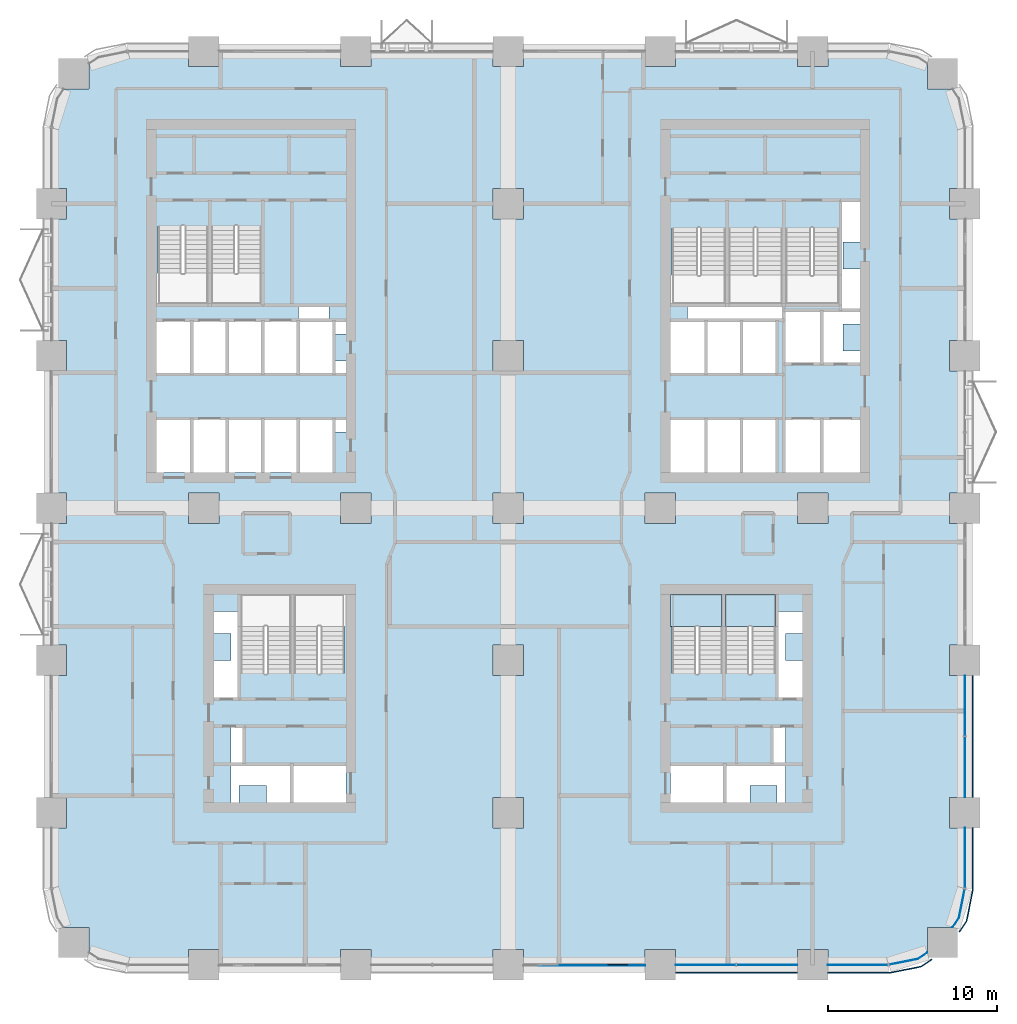
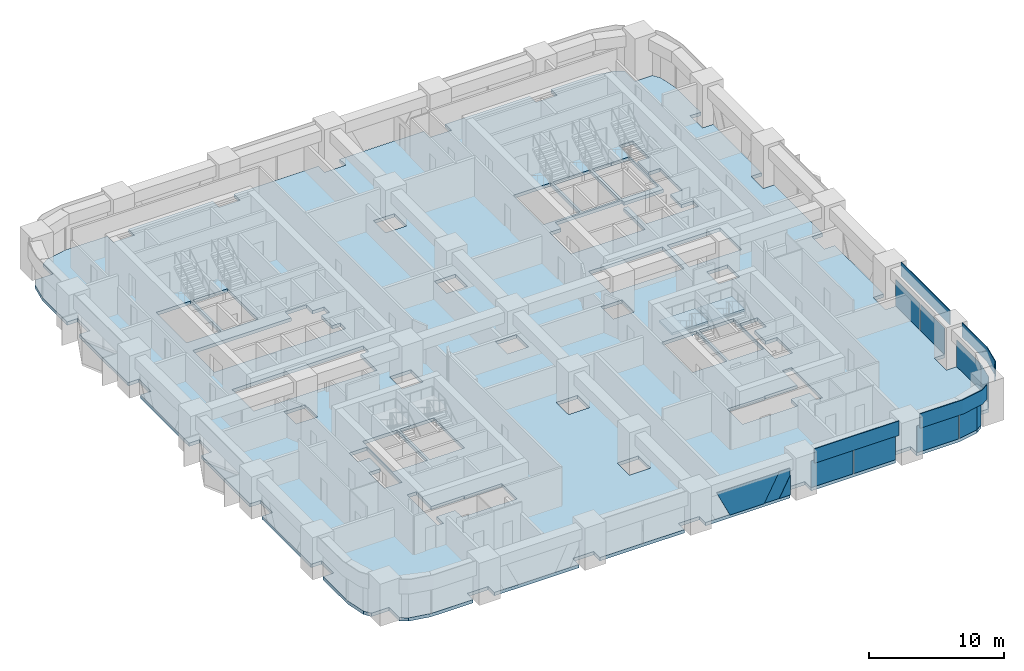
# One storey, part 9 of 21: 15 plates, 3 slabs, 7 elements without a shape of their own.
"""IFC4 building model written with IfcOpenShell, lengths in metres."""

from ifc_helpers import new_model, si_unit, direction, frame, origin, origin_2d, place, context, subcontext, project, spatial, polyline, rectangle, outline, extrude, material, layer, layer_set, type_object, element, aggregate, save


model = new_model("IFC4")

# Units and contexts
model_context = context("Model", 3, precision=1e-05, world=origin(), true_north=direction((0.0, 1.0)))
body_context = subcontext(model_context, "Body", "Model", "MODEL_VIEW")
ifc_project = project(units=[si_unit("LENGTHUNIT", "METRE"), si_unit("AREAUNIT", "SQUARE_METRE"), si_unit("VOLUMEUNIT", "CUBIC_METRE"), si_unit("PLANEANGLEUNIT", "RADIAN"), si_unit("MASSUNIT", "GRAM", prefix="KILO")], contexts=[model_context])

# Site, building, storey
site_placement = place(None, origin())
site = spatial("IfcSite", under=ifc_project, at=site_placement, CompositionType="ELEMENT")
building_placement = place(site_placement, origin())
building = spatial("IfcBuilding", under=site, at=building_placement, Name="Tessera Arch", CompositionType="ELEMENT")
storey_placement = place(building_placement, frame((0.0, 0.0, 42.39990234375)))
storey = spatial("IfcBuildingStorey", under=building, at=storey_placement, Name="L08", CompositionType="ELEMENT", Elevation=42.39990234375)

# Curtain wall, plates
ifc_material_1 = material(Name="CW1 curtain wall")
curtain_wall_type_1 = type_object("IfcCurtainWallType", Name="CW1 curtain wall", PredefinedType="NOTDEFINED", material=ifc_material_1)
curtain_wall_1_placement = place(storey_placement, origin())
curtain_wall_1 = element("IfcCurtainWall", 1, at=curtain_wall_1_placement, inside=storey, type_object=curtain_wall_type_1, Name="CW1 curtain wall S0.0/3 L08", PredefinedType="NOTDEFINED")
ifc_material_2 = material(Name="Clear low-e glass", Category="glass")
ifc_material_3 = material(Name="Clear low-e glass", Category="glass")
ifc_layer_1 = layer(ifc_material_3, 0.028076171875)
ifc_layer_set_1 = layer_set([ifc_layer_1], Name="CW1 glass panel")
plate_type_1 = type_object("IfcPlateType", Name="CW1 glass panel", PredefinedType="CURTAIN_PANEL", material=ifc_layer_set_1)
plate_1_placement = place(storey_placement, frame((38.68505859375, 0.0, 0.000244140625), z_axis=(0.0, 0.0, 1.0), x_axis=(1.0, 0.0, 0.0)))
plate_1 = element("IfcPlate", 2, at=plate_1_placement, type_object=plate_type_1, material=ifc_material_2, Name="CW1 glass panel S0.0/3 1.1.1", PredefinedType="CURTAIN_PANEL", context=body_context, shape_type="SweptSolid", body=[
    extrude(rectangle(XDim=3.570068359375, YDim=0.028076171875, at=origin_2d()), origin(), (0.0, 0.0, 1.0), 2.39990234375),
])
plate_2_placement = place(storey_placement, frame((42.31494140625, 0.0, 0.000244140625), z_axis=(0.0, 0.0, 1.0), x_axis=(1.0, 0.0, 0.0)))
plate_2 = element("IfcPlate", 3, at=plate_2_placement, type_object=plate_type_1, material=ifc_material_2, Name="CW1 glass panel S0.0/3 1.2.1", PredefinedType="CURTAIN_PANEL", context=body_context, shape_type="SweptSolid", body=[
    extrude(rectangle(XDim=3.570068359375, YDim=0.028076171875, at=origin_2d()), origin(), (0.0, 0.0, 1.0), 2.39990234375),
])

curtain_wall_2_placement = place(storey_placement, origin())
curtain_wall_2 = element("IfcCurtainWall", 4, at=curtain_wall_2_placement, inside=storey, type_object=curtain_wall_type_1, Name="CW1 curtain wall E54.0/1 L08", PredefinedType="NOTDEFINED")
plate_3_placement = place(storey_placement, frame((54.0, 11.68505859375, 0.000244140625), z_axis=(0.0, 0.0, 1.0), x_axis=(0.0, 1.0, 0.0)))
plate_3 = element("IfcPlate", 5, at=plate_3_placement, type_object=plate_type_1, material=ifc_material_2, Name="CW1 glass panel E54.0/1 1.1.1", PredefinedType="CURTAIN_PANEL", context=body_context, shape_type="SweptSolid", body=[
    extrude(rectangle(XDim=3.570068359375, YDim=0.028076171875, at=origin_2d()), origin(), (0.0, 0.0, 1.0), 2.39990234375),
])
plate_4_placement = place(storey_placement, frame((54.0, 15.31494140625, 0.000244140625), z_axis=(0.0, 0.0, 1.0), x_axis=(0.0, 1.0, 0.0)))
plate_4 = element("IfcPlate", 6, at=plate_4_placement, type_object=plate_type_1, material=ifc_material_2, Name="CW1 glass panel E54.0/1 1.2.1", PredefinedType="CURTAIN_PANEL", context=body_context, shape_type="SweptSolid", body=[
    extrude(rectangle(XDim=3.570068359375, YDim=0.028076171875, at=origin_2d()), origin(), (0.0, 0.0, 1.0), 2.39990234375),
])

# Plate
ifc_material_4 = material(Name="Pale anodised aluminium panel", Category="aluminium")
ifc_layer_2 = layer(ifc_material_4, 0.06005859375)
ifc_layer_set_2 = layer_set([ifc_layer_2], Name="CW1 spandrel panel")
plate_type_2 = type_object("IfcPlateType", Name="CW1 spandrel panel", PredefinedType="CURTAIN_PANEL", material=ifc_layer_set_2)
plate_5_placement = place(storey_placement, frame((40.5, -0.47998046875, 2.5), z_axis=(0.0, 0.0, 1.0), x_axis=(1.0, 0.0, 0.0)))
plate_5 = element("IfcPlate", 7, at=plate_5_placement, type_object=plate_type_2, Name="CW1 spandrel panel S0.0/3", PredefinedType="CURTAIN_PANEL", context=body_context, shape_type="SweptSolid", body=[
    extrude(rectangle(XDim=7.199951171875, YDim=0.06005859375, at=origin_2d()), origin(), (0.0, 0.0, 1.0), 1.300048828125),
])

aggregate(curtain_wall_1, [plate_1, plate_2, plate_5])

plate_6_placement = place(storey_placement, frame((54.47998046875, 13.5, 2.5), z_axis=(0.0, 0.0, 1.0), x_axis=(0.0, 1.0, 0.0)))
plate_6 = element("IfcPlate", 8, at=plate_6_placement, type_object=plate_type_2, Name="CW1 spandrel panel E54.0/1", PredefinedType="CURTAIN_PANEL", context=body_context, shape_type="SweptSolid", body=[
    extrude(rectangle(XDim=7.199951171875, YDim=0.06005859375, at=origin_2d()), origin(), (0.0, 0.0, 1.0), 1.300048828125),
])

aggregate(curtain_wall_2, [plate_3, plate_4, plate_6])

# Curtain wall, plates
ifc_material_5 = material(Name="CW2 curtain wall")
curtain_wall_type_2 = type_object("IfcCurtainWallType", Name="CW2 curtain wall", PredefinedType="NOTDEFINED", material=ifc_material_5)
curtain_wall_3_placement = place(storey_placement, origin())
curtain_wall_3 = element("IfcCurtainWall", 9, at=curtain_wall_3_placement, inside=storey, type_object=curtain_wall_type_2, Name="CW2 curtain wall S0.0/4 L08", PredefinedType="NOTDEFINED")
ifc_material_6 = material(Name="Clear low-e glass", Category="glass")
ifc_layer_3 = layer(ifc_material_6, 0.028076171875)
ifc_layer_set_3 = layer_set([ifc_layer_3], Name="CW2 glass panel")
plate_type_3 = type_object("IfcPlateType", Name="CW2 glass panel", PredefinedType="CURTAIN_PANEL", material=ifc_layer_set_3)
plate_7_placement = place(storey_placement, frame((47.679931640625, 0.0, 0.000244140625), z_axis=(0.0, 0.0, 1.0), x_axis=(1.0, 0.0, 0.0)))
plate_7 = element("IfcPlate", 10, at=plate_7_placement, type_object=plate_type_3, material=ifc_material_2, Name="CW2 glass panel S0.0/4 1.1", PredefinedType="CURTAIN_PANEL", context=body_context, shape_type="SweptSolid", body=[
    extrude(rectangle(XDim=3.56005859375, YDim=0.028076171875, at=origin_2d()), origin(), (0.0, 0.0, 1.0), 2.39990234375),
])
plate_8_placement = place(storey_placement, origin())
plate_8 = element("IfcPlate", 11, at=plate_8_placement, type_object=plate_type_3, material=ifc_material_2, Name="CW2 curved glass panel S0.0/4 2.1", PredefinedType="CURTAIN_PANEL", context=body_context, shape_type="SweptSolid", body=[
    extrude(outline(polyline([(51.216552734375, 0.355712890625), (49.53662109375, 0.021484375), (49.5419921875, -0.005859375), (51.2275390625, 0.329345703125), (51.789794921875, 0.705078125), (51.774169921875, 0.728271484375), (51.216552734375, 0.355712890625)])), origin(), (0.0, 0.0, 1.0), 2.400146484375),
])

curtain_wall_4_placement = place(storey_placement, origin())
curtain_wall_4 = element("IfcCurtainWall", 12, at=curtain_wall_4_placement, inside=storey, type_object=curtain_wall_type_2, Name="CW2 curtain wall E54.0/0 L08", PredefinedType="NOTDEFINED")
plate_9_placement = place(storey_placement, frame((54.0, 6.320068359375, 0.000244140625), z_axis=(0.0, 0.0, 1.0), x_axis=(0.0, 1.0, 0.0)))
plate_9 = element("IfcPlate", 13, at=plate_9_placement, type_object=plate_type_3, material=ifc_material_2, Name="CW2 glass panel E54.0/0 1.1", PredefinedType="CURTAIN_PANEL", context=body_context, shape_type="SweptSolid", body=[
    extrude(rectangle(XDim=3.56005859375, YDim=0.028076171875, at=origin_2d()), origin(), (0.0, 0.0, 1.0), 2.39990234375),
])
plate_10_placement = place(storey_placement, origin())
plate_10 = element("IfcPlate", 14, at=plate_10_placement, type_object=plate_type_3, material=ifc_material_2, Name="CW2 curved glass panel E54.0/0 2.1", PredefinedType="CURTAIN_PANEL", context=body_context, shape_type="SweptSolid", body=[
    extrude(outline(polyline([(53.644287109375, 2.783447265625), (53.271728515625, 2.225830078125), (53.294921875, 2.210205078125), (53.670654296875, 2.7724609375), (54.005859375, 4.4580078125), (53.978515625, 4.46337890625), (53.644287109375, 2.783447265625)])), origin(), (0.0, 0.0, 1.0), 2.400146484375),
])

# Plate
ifc_material_7 = material(Name="Pale anodised aluminium panel", Category="aluminium")
ifc_layer_4 = layer(ifc_material_7, 0.06005859375)
ifc_layer_set_4 = layer_set([ifc_layer_4], Name="CW2 spandrel panel")
plate_type_4 = type_object("IfcPlateType", Name="CW2 spandrel panel", PredefinedType="CURTAIN_PANEL", material=ifc_layer_set_4)
plate_11_placement = place(storey_placement, frame((0.0, 0.0, 2.5)))
plate_11 = element("IfcPlate", 15, at=plate_11_placement, type_object=plate_type_4, Name="CW2 spandrel panel S0.0/4", PredefinedType="CURTAIN_PANEL", context=body_context, shape_type="SweptSolid", body=[
    extrude(outline(polyline([(49.499267578125, -0.449951171875), (45.89990234375, -0.449951171875), (45.89990234375, -0.510009765625), (49.500732421875, -0.510009765625), (49.550048828125, -0.507568359375), (49.598876953125, -0.500244140625), (51.322265625, -0.157470703125), (51.3701171875, -0.1455078125), (51.417236328125, -0.128662109375), (51.462646484375, -0.107177734375), (51.5048828125, -0.08203125), (52.0654296875, 0.292724609375), (52.031982421875, 0.342529296875), (51.47265625, -0.03125), (51.434326171875, -0.05419921875), (51.394287109375, -0.0732421875), (51.352783203125, -0.088134765625), (51.30908203125, -0.09912109375), (49.588623046875, -0.441162109375), (49.544189453125, -0.44775390625), (49.499267578125, -0.449951171875)])), origin(), (0.0, 0.0, 1.0), 1.300048828125),
])

aggregate(curtain_wall_3, [plate_7, plate_8, plate_11])

plate_12_placement = place(storey_placement, frame((0.0, 0.0, 2.5)))
plate_12 = element("IfcPlate", 16, at=plate_12_placement, type_object=plate_type_4, Name="CW2 spandrel panel E54.0/0", PredefinedType="CURTAIN_PANEL", context=body_context, shape_type="SweptSolid", body=[
    extrude(outline(polyline([(54.03125, 2.52734375), (53.657470703125, 1.968017578125), (53.707275390625, 1.9345703125), (54.08203125, 2.4951171875), (54.107177734375, 2.537353515625), (54.128662109375, 2.582763671875), (54.1455078125, 2.6298828125), (54.157470703125, 2.677734375), (54.500244140625, 4.401123046875), (54.507568359375, 4.449951171875), (54.510009765625, 4.499267578125), (54.510009765625, 8.10009765625), (54.449951171875, 8.10009765625), (54.449951171875, 4.500732421875), (54.44775390625, 4.455810546875), (54.441162109375, 4.411376953125), (54.09912109375, 2.69091796875), (54.088134765625, 2.647216796875), (54.0732421875, 2.605712890625), (54.05419921875, 2.565673828125), (54.03125, 2.52734375)])), origin(), (0.0, 0.0, 1.0), 1.300048828125),
])

aggregate(curtain_wall_4, [plate_9, plate_10, plate_12])

# Curtain wall, plates
ifc_material_8 = material(Name="CW3 curtain wall")
curtain_wall_type_3 = type_object("IfcCurtainWallType", Name="CW3 curtain wall", PredefinedType="NOTDEFINED", material=ifc_material_8)
curtain_wall_5_placement = place(storey_placement, origin())
curtain_wall_5 = element("IfcCurtainWall", 17, at=curtain_wall_5_placement, inside=storey, type_object=curtain_wall_type_3, Name="CW3 curtain wall S0.0/2 L08", PredefinedType="NOTDEFINED")
ifc_material_9 = material(Name="Pale anodised aluminium panel", Category="aluminium")
ifc_layer_5 = layer(ifc_material_9, 0.06005859375)
ifc_layer_set_5 = layer_set([ifc_layer_5], Name="CW3 diagonal panel")
plate_type_5 = type_object("IfcPlateType", Name="CW3 diagonal panel", PredefinedType="CURTAIN_PANEL", material=ifc_layer_set_5)
plate_13_placement = place(storey_placement, frame((35.10009765625, -0.030029296875, 2.400146484375), z_axis=(0.0, -1.0, 0.0), x_axis=(-1.0, 0.0, 0.0)))
plate_13 = element("IfcPlate", 18, at=plate_13_placement, type_object=plate_type_5, Name="CW3 diagonal panel S0.0/2 1", PredefinedType="CURTAIN_PANEL", context=body_context, shape_type="SweptSolid", body=[
    extrude(outline(polyline([(0.0, 0.0), (0.95947265625, 0.0), (2.227294921875, 2.400146484375), (0.9423828125, 2.400146484375), (0.0, 0.6162109375), (0.0, 0.0)])), origin(), (0.0, 0.0, -1.0), 0.06005859375),
])
ifc_material_10 = material(Name="Clear low-e glass", Category="glass")
ifc_layer_6 = layer(ifc_material_10, 0.028076171875)
ifc_layer_set_6 = layer_set([ifc_layer_6], Name="CW3 glass panel")
plate_type_6 = type_object("IfcPlateType", Name="CW3 glass panel", PredefinedType="CURTAIN_PANEL", material=ifc_layer_set_6)
plate_14_placement = place(storey_placement, frame((34.140625, -0.05810546875, 2.400146484375), z_axis=(0.0, -1.0, 0.0), x_axis=(-1.0, 0.0, 0.0)))
plate_14 = element("IfcPlate", 19, at=plate_14_placement, type_object=plate_type_6, material=ifc_material_2, Name="CW3 triangulated glass panel S0.0/2 2", PredefinedType="CURTAIN_PANEL", context=body_context, shape_type="SweptSolid", body=[
    extrude(outline(polyline([(0.0, 0.0), (5.327880859375, 0.0), (4.191162109375, 2.400146484375), (1.267822265625, 2.400146484375), (0.0, 0.0)])), origin(), (0.0, 0.0, -1.0), 0.028076171875),
])
plate_15_placement = place(storey_placement, frame((35.10009765625, -0.05810546875, 0.0), z_axis=(0.0, -1.0, 0.0), x_axis=(0.0, 0.0, 1.0)))
plate_15 = element("IfcPlate", 20, at=plate_15_placement, type_object=plate_type_6, material=ifc_material_2, Name="CW3 triangulated glass panel S0.0/2 3", PredefinedType="CURTAIN_PANEL", context=body_context, shape_type="SweptSolid", body=[
    extrude(outline(polyline([(0.0, 0.0), (1.783935546875, 0.0), (0.0, 0.9423828125), (0.0, 0.0)])), origin(), (0.0, 0.0, -1.0), 0.028076171875),
])
aggregate(curtain_wall_5, [plate_14, plate_15, plate_13])

# Slab
ifc_material_11 = material(Name="Concrete C40/50", Category="concrete")
ifc_layer_7 = layer(ifc_material_11, 0.300048828125)
ifc_layer_set_7 = layer_set([ifc_layer_7], Name="Floor slab 300 Concrete C40/50")
slab_type_1 = type_object("IfcSlabType", Name="Floor slab 300 Concrete C40/50", PredefinedType="FLOOR", material=ifc_layer_set_7)
slab_1_placement = place(storey_placement, frame((0.0, 0.0, -0.2998046875)))
element("IfcSlab", 21, at=slab_1_placement, inside=storey, type_object=slab_type_1, Name="Floor slab L08 1", PredefinedType="FLOOR", context=body_context, shape_type="SweptSolid", body=[
    extrude(outline(polyline([(4.5, 0.0), (2.77783203125, 0.342529296875), (2.218017578125, 0.716552734375), (2.218017578125, 2.218017578125), (0.716552734375, 2.218017578125), (0.342529296875, 2.77783203125), (0.0, 4.5), (0.0, 8.10009765625), (0.89990234375, 8.10009765625), (0.89990234375, 9.89990234375), (0.0, 9.89990234375), (0.0, 17.10009765625), (0.89990234375, 17.10009765625), (0.89990234375, 18.89990234375), (0.0, 18.89990234375), (0.0, 26.10009765625), (0.89990234375, 26.10009765625), (0.89990234375, 27.89990234375), (0.0, 27.89990234375), (0.0, 35.10009765625), (0.89990234375, 35.10009765625), (0.89990234375, 36.89990234375), (0.0, 36.89990234375), (0.0, 44.10009765625), (0.89990234375, 44.10009765625), (0.89990234375, 45.89990234375), (0.0, 45.89990234375), (0.0, 49.5), (0.342529296875, 51.22216796875), (0.716552734375, 51.781982421875), (2.218017578125, 51.781982421875), (2.218017578125, 53.283447265625), (2.77783203125, 53.657470703125), (4.5, 54.0), (8.10009765625, 54.0), (8.10009765625, 53.10009765625), (9.89990234375, 53.10009765625), (9.89990234375, 54.0), (17.10009765625, 54.0), (17.10009765625, 53.10009765625), (18.89990234375, 53.10009765625), (18.89990234375, 54.0), (26.10009765625, 54.0), (26.10009765625, 53.10009765625), (27.89990234375, 53.10009765625), (27.89990234375, 54.0), (35.10009765625, 54.0), (35.10009765625, 53.10009765625), (36.89990234375, 53.10009765625), (36.89990234375, 54.0), (44.10009765625, 54.0), (44.10009765625, 53.10009765625), (45.89990234375, 53.10009765625), (45.89990234375, 54.0), (49.5, 54.0), (51.22216796875, 53.657470703125), (51.781982421875, 53.283447265625), (51.781982421875, 51.781982421875), (53.283447265625, 51.781982421875), (53.657470703125, 51.22216796875), (54.0, 49.5), (54.0, 45.89990234375), (53.10009765625, 45.89990234375), (53.10009765625, 44.10009765625), (54.0, 44.10009765625), (54.0, 36.89990234375), (53.10009765625, 36.89990234375), (53.10009765625, 35.10009765625), (54.0, 35.10009765625), (54.0, 27.89990234375), (53.10009765625, 27.89990234375), (53.10009765625, 26.10009765625), (54.0, 26.10009765625), (54.0, 18.89990234375), (53.10009765625, 18.89990234375), (53.10009765625, 17.10009765625), (54.0, 17.10009765625), (54.0, 9.89990234375), (53.10009765625, 9.89990234375), (53.10009765625, 8.10009765625), (54.0, 8.10009765625), (54.0, 4.5), (53.657470703125, 2.77783203125), (53.283447265625, 2.218017578125), (51.781982421875, 2.218017578125), (51.781982421875, 0.716552734375), (51.22216796875, 0.342529296875), (49.5, 0.0), (45.89990234375, 0.0), (45.89990234375, 0.89990234375), (44.10009765625, 0.89990234375), (44.10009765625, 0.0), (36.89990234375, 0.0), (36.89990234375, 0.89990234375), (35.10009765625, 0.89990234375), (35.10009765625, 0.0), (27.89990234375, 0.0), (27.89990234375, 0.89990234375), (26.10009765625, 0.89990234375), (26.10009765625, 0.0), (18.89990234375, 0.0), (18.89990234375, 0.89990234375), (17.10009765625, 0.89990234375), (17.10009765625, 0.0), (9.89990234375, 0.0), (9.89990234375, 0.89990234375), (8.10009765625, 0.89990234375), (8.10009765625, 0.0), (4.5, 0.0)]), holes=[polyline([(11.10009765625, 9.60009765625), (11.10009765625, 10.60009765625), (12.699951171875, 10.60009765625), (12.699951171875, 9.60009765625), (14.199951171875, 9.60009765625), (17.39990234375, 9.60009765625), (17.39990234375, 11.85009765625), (14.199951171875, 11.85009765625), (14.199951171875, 11.89990234375), (11.39990234375, 11.89990234375), (11.39990234375, 14.10009765625), (10.60009765625, 14.10009765625), (10.60009765625, 11.89990234375), (10.60009765625, 9.60009765625), (11.10009765625, 9.60009765625)]), polyline([(9.60009765625, 19.60009765625), (10.60009765625, 19.60009765625), (10.60009765625, 18.0), (9.60009765625, 18.0), (9.60009765625, 15.699951171875), (11.10009765625, 15.699951171875), (11.10009765625, 20.89990234375), (9.60009765625, 20.89990234375), (9.60009765625, 19.60009765625)]), polyline([(12.60009765625, 17.2099609375), (12.60009765625, 17.199951171875), (12.75, 17.199951171875), (12.75, 17.2099609375), (14.14990234375, 17.2099609375), (14.14990234375, 21.699951171875), (11.199951171875, 21.699951171875), (11.199951171875, 17.2099609375), (12.60009765625, 17.2099609375)]), polyline([(8.10009765625, 26.10009765625), (9.89990234375, 26.10009765625), (9.89990234375, 27.89990234375), (8.10009765625, 27.89990234375), (8.10009765625, 26.10009765625)]), polyline([(12.5, 29.10009765625), (14.60009765625, 29.10009765625), (16.699951171875, 29.10009765625), (16.699951171875, 31.5), (17.39990234375, 31.5), (17.39990234375, 32.300048828125), (16.699951171875, 32.300048828125), (14.60009765625, 32.300048828125), (12.5, 32.300048828125), (10.39990234375, 32.300048828125), (8.300048828125, 32.300048828125), (6.199951171875, 32.300048828125), (6.199951171875, 29.10009765625), (8.300048828125, 29.10009765625), (10.39990234375, 29.10009765625), (12.5, 29.10009765625)]), polyline([(10.39990234375, 38.10009765625), (8.300048828125, 38.10009765625), (6.199951171875, 38.10009765625), (6.199951171875, 34.89990234375), (8.300048828125, 34.89990234375), (10.39990234375, 34.89990234375), (12.5, 34.89990234375), (14.60009765625, 34.89990234375), (16.699951171875, 34.89990234375), (17.39990234375, 34.89990234375), (17.39990234375, 35.699951171875), (16.699951171875, 35.699951171875), (16.699951171875, 37.300048828125), (17.39990234375, 37.300048828125), (17.39990234375, 38.10009765625), (16.699951171875, 38.10009765625), (16.39990234375, 38.10009765625), (16.39990234375, 39.0), (14.60009765625, 39.0), (14.60009765625, 38.10009765625), (12.5, 38.10009765625), (10.39990234375, 38.10009765625)]), polyline([(11.0, 43.699951171875), (10.85009765625, 43.699951171875), (10.85009765625, 43.68994140625), (9.449951171875, 43.68994140625), (9.449951171875, 39.199951171875), (12.39990234375, 39.199951171875), (12.39990234375, 43.68994140625), (11.0, 43.68994140625), (11.0, 43.699951171875)]), polyline([(7.85009765625, 43.699951171875), (7.699951171875, 43.699951171875), (7.699951171875, 43.68994140625), (6.300048828125, 43.68994140625), (6.300048828125, 39.199951171875), (9.25, 39.199951171875), (9.25, 43.68994140625), (7.85009765625, 43.68994140625), (7.85009765625, 43.699951171875)]), polyline([(26.10009765625, 8.10009765625), (27.89990234375, 8.10009765625), (27.89990234375, 9.89990234375), (26.10009765625, 9.89990234375), (26.10009765625, 8.10009765625)]), polyline([(39.800048828125, 9.60009765625), (41.300048828125, 9.60009765625), (41.300048828125, 10.60009765625), (42.89990234375, 10.60009765625), (42.89990234375, 9.60009765625), (43.39990234375, 9.60009765625), (43.39990234375, 11.89990234375), (43.39990234375, 14.10009765625), (42.60009765625, 14.10009765625), (42.60009765625, 11.89990234375), (39.800048828125, 11.89990234375), (39.800048828125, 11.85009765625), (36.60009765625, 11.85009765625), (36.60009765625, 9.60009765625), (39.800048828125, 9.60009765625)]), polyline([(26.10009765625, 18.89990234375), (26.10009765625, 17.10009765625), (27.89990234375, 17.10009765625), (27.89990234375, 18.89990234375), (26.10009765625, 18.89990234375)]), polyline([(15.75, 17.199951171875), (15.89990234375, 17.199951171875), (15.89990234375, 17.2099609375), (17.300048828125, 17.2099609375), (17.300048828125, 21.699951171875), (14.35009765625, 21.699951171875), (14.35009765625, 17.2099609375), (15.75, 17.2099609375), (15.75, 17.199951171875)]), polyline([(38.10009765625, 17.199951171875), (38.25, 17.199951171875), (38.25, 17.2099609375), (39.64990234375, 17.2099609375), (39.64990234375, 21.699951171875), (36.699951171875, 21.699951171875), (36.699951171875, 17.2099609375), (38.10009765625, 17.2099609375), (38.10009765625, 17.199951171875)]), polyline([(17.10009765625, 26.10009765625), (18.89990234375, 26.10009765625), (18.89990234375, 27.89990234375), (17.10009765625, 27.89990234375), (17.10009765625, 26.10009765625)]), polyline([(26.10009765625, 27.89990234375), (26.10009765625, 26.10009765625), (27.89990234375, 26.10009765625), (27.89990234375, 27.89990234375), (26.10009765625, 27.89990234375)]), polyline([(35.10009765625, 27.89990234375), (35.10009765625, 26.10009765625), (36.89990234375, 26.10009765625), (36.89990234375, 27.89990234375), (35.10009765625, 27.89990234375)]), polyline([(36.60009765625, 32.300048828125), (36.60009765625, 29.10009765625), (38.699951171875, 29.10009765625), (40.800048828125, 29.10009765625), (42.89990234375, 29.10009765625), (42.89990234375, 32.300048828125), (40.800048828125, 32.300048828125), (38.699951171875, 32.300048828125), (36.60009765625, 32.300048828125)]), polyline([(26.10009765625, 35.10009765625), (27.89990234375, 35.10009765625), (27.89990234375, 36.89990234375), (26.10009765625, 36.89990234375), (26.10009765625, 35.10009765625)]), polyline([(38.699951171875, 34.89990234375), (40.800048828125, 34.89990234375), (42.89990234375, 34.89990234375), (42.89990234375, 38.10009765625), (43.300048828125, 38.10009765625), (43.300048828125, 35.5), (45.550048828125, 35.5), (47.800048828125, 35.5), (47.800048828125, 36.300048828125), (46.800048828125, 36.300048828125), (46.800048828125, 37.89990234375), (47.800048828125, 37.89990234375), (47.800048828125, 38.699951171875), (47.800048828125, 41.14990234375), (46.800048828125, 41.14990234375), (46.800048828125, 42.75), (47.800048828125, 42.75), (47.800048828125, 45.199951171875), (46.64990234375, 45.199951171875), (46.64990234375, 38.699951171875), (45.550048828125, 38.699951171875), (43.300048828125, 38.699951171875), (43.300048828125, 39.0), (37.60009765625, 39.0), (37.60009765625, 38.10009765625), (36.60009765625, 38.10009765625), (36.60009765625, 34.89990234375), (38.699951171875, 34.89990234375)]), polyline([(38.330078125, 43.580078125), (38.219970703125, 43.580078125), (38.219970703125, 43.570068359375), (36.699951171875, 43.570068359375), (36.699951171875, 39.199951171875), (39.85009765625, 39.199951171875), (39.85009765625, 43.570068359375), (38.330078125, 43.570068359375), (38.330078125, 43.580078125)]), polyline([(26.10009765625, 44.10009765625), (27.89990234375, 44.10009765625), (27.89990234375, 45.89990234375), (26.10009765625, 45.89990234375), (26.10009765625, 44.10009765625)]), polyline([(42.89990234375, 15.699951171875), (44.39990234375, 15.699951171875), (44.39990234375, 18.0), (43.39990234375, 18.0), (43.39990234375, 19.60009765625), (44.39990234375, 19.60009765625), (44.39990234375, 20.89990234375), (42.89990234375, 20.89990234375), (42.89990234375, 15.699951171875)]), polyline([(41.25, 17.199951171875), (41.39990234375, 17.199951171875), (41.39990234375, 17.2099609375), (42.800048828125, 17.2099609375), (42.800048828125, 21.699951171875), (39.85009765625, 21.699951171875), (39.85009765625, 17.2099609375), (41.25, 17.2099609375), (41.25, 17.199951171875)]), polyline([(44.10009765625, 26.10009765625), (45.89990234375, 26.10009765625), (45.89990234375, 27.89990234375), (44.10009765625, 27.89990234375), (44.10009765625, 26.10009765625)]), polyline([(45.550048828125, 29.10009765625), (47.800048828125, 29.10009765625), (47.800048828125, 32.300048828125), (45.550048828125, 32.300048828125), (43.300048828125, 32.300048828125), (43.300048828125, 29.10009765625), (45.550048828125, 29.10009765625)]), polyline([(45.030029296875, 43.570068359375), (45.030029296875, 43.580078125), (44.919921875, 43.580078125), (44.919921875, 43.570068359375), (43.39990234375, 43.570068359375), (43.39990234375, 39.199951171875), (46.550048828125, 39.199951171875), (46.550048828125, 43.570068359375), (45.030029296875, 43.570068359375)]), polyline([(41.679931640625, 43.580078125), (41.570068359375, 43.580078125), (41.570068359375, 43.570068359375), (40.050048828125, 43.570068359375), (40.050048828125, 39.199951171875), (43.199951171875, 39.199951171875), (43.199951171875, 43.570068359375), (41.679931640625, 43.570068359375), (41.679931640625, 43.580078125)])]), origin(), (0.0, 0.0, 1.0), 0.2998046875),
])

# Stair, slab
ifc_material_12 = material(Name="Concrete C40/50", Category="concrete")
stair_type = type_object("IfcStairType", Name="Dogleg stair 1400", PredefinedType="HALF_TURN_STAIR", material=ifc_material_12)
stair_1_placement = place(storey_placement, origin())
stair_1 = element("IfcStair", 22, at=stair_1_placement, inside=storey, type_object=stair_type, Name="L08 S3a", PredefinedType="HALF_TURN_STAIR")
ifc_material_13 = material(Name="Concrete C40/50", Category="concrete")
ifc_layer_8 = layer(ifc_material_13, 0.300048828125)
ifc_layer_set_8 = layer_set([ifc_layer_8], Name="Stair landing 300")
slab_type_2 = type_object("IfcSlabType", Name="Stair landing 300", PredefinedType="LANDING", material=ifc_layer_set_8)
slab_2_placement = place(storey_placement, frame((0.0, 0.0, 1.7001953125)))
slab_2 = element("IfcSlab", 23, at=slab_2_placement, type_object=slab_type_2, Name="S3a landing 1", PredefinedType="LANDING", context=body_context, shape_type="SweptSolid", body=[
    extrude(outline(polyline([(39.64990234375, 20.0), (39.64990234375, 21.89990234375), (36.60009765625, 21.89990234375), (36.60009765625, 20.0), (39.64990234375, 20.0)])), origin(), (0.0, 0.0, 1.0), 0.199951171875),
])
aggregate(stair_1, [slab_2])

stair_2_placement = place(storey_placement, origin())
stair_2 = element("IfcStair", 24, at=stair_2_placement, inside=storey, type_object=stair_type, Name="L08 S3b", PredefinedType="HALF_TURN_STAIR")
slab_3_placement = place(storey_placement, frame((0.0, 0.0, 1.7001953125)))
slab_3 = element("IfcSlab", 25, at=slab_3_placement, type_object=slab_type_2, Name="S3b landing 1", PredefinedType="LANDING", context=body_context, shape_type="SweptSolid", body=[
    extrude(outline(polyline([(42.800048828125, 20.0), (42.800048828125, 21.89990234375), (39.85009765625, 21.89990234375), (39.85009765625, 20.0), (42.800048828125, 20.0)])), origin(), (0.0, 0.0, 1.0), 0.199951171875),
])
aggregate(stair_2, [slab_3])

save(model, "model.ifc")
